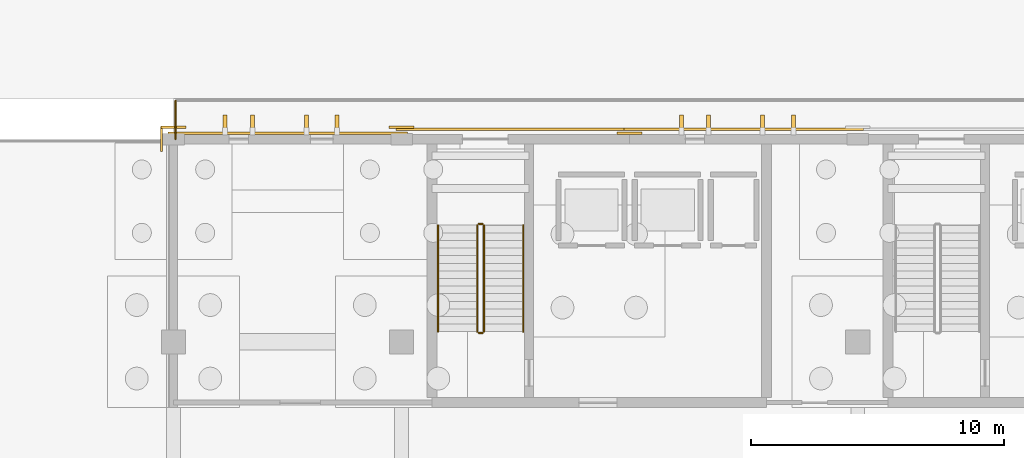
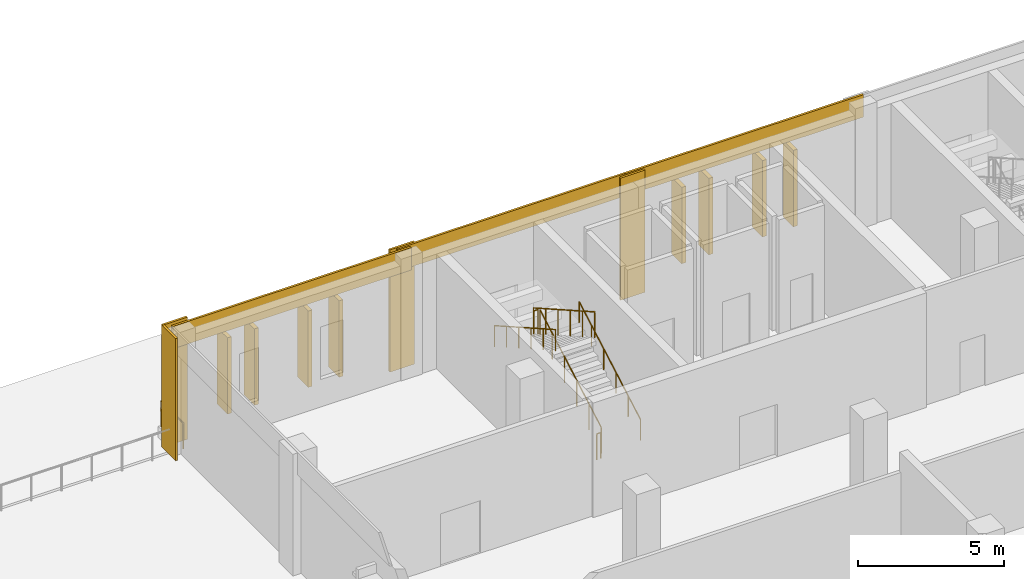
# One storey, part 87 of 94: 8 shading devices, 7 coverings, 7 railings.
"""IFC4 building model written with IfcOpenShell, lengths in metres."""

from ifc_helpers import new_model, si_unit, direction, frame, origin, origin_2d, place, context, subcontext, project, spatial, rectangle, circle, extrude, material, layer, layer_set, type_object, element, save


model = new_model("IFC4")

# Units and contexts
model_context = context("Model", 3, precision=1e-05, world=origin(), true_north=direction((0.0, 1.0)))
body_context = subcontext(model_context, "Body", "Model", "MODEL_VIEW")
ifc_project = project(units=[si_unit("LENGTHUNIT", "METRE"), si_unit("AREAUNIT", "SQUARE_METRE"), si_unit("VOLUMEUNIT", "CUBIC_METRE"), si_unit("PLANEANGLEUNIT", "RADIAN"), si_unit("MASSUNIT", "GRAM", prefix="KILO")], contexts=[model_context])

# Site, building, storey
site_placement = place(None, origin())
site = spatial("IfcSite", under=ifc_project, at=site_placement, CompositionType="ELEMENT")
building_placement = place(site_placement, origin())
building = spatial("IfcBuilding", under=site, at=building_placement, Name="Vervanel Yard Central Library", CompositionType="ELEMENT")
storey_placement = place(building_placement, origin())
storey = spatial("IfcBuildingStorey", under=building, at=storey_placement, Name="L00", CompositionType="ELEMENT", Elevation=0.0)

# Railings
ifc_material_1 = material(Name="Brushed stainless steel AISI 316", Category="steel")
railing_type_1 = type_object("IfcRailingType", Name="Brushed Stainless Stair Handrail 900", PredefinedType="HANDRAIL", material=ifc_material_1)
railing_1_placement = place(storey_placement, frame((49.800048828125, 106.39990234375, 0.169921875)))
element("IfcRailing", 1, at=railing_1_placement, inside=storey, type_object=railing_type_1, Name="L00 ST-01 stair handrail 1", PredefinedType="HANDRAIL", context=body_context, shape_type="SweptSolid", body=[
    extrude(circle(Radius=0.02392578125, at=origin_2d()), frame((0.0, 0.0, 0.8759765625), z_axis=(0.0, 0.870020739749, 0.493015123914), x_axis=(-1.0, 0.0, 0.0)), (0.0, 0.0, 1.0), 4.82763671875),
    extrude(circle(Radius=0.02099609375, at=origin_2d()), origin(), (0.0, 0.0, 1.0), 0.851806640625),
    extrude(circle(Radius=0.02099609375, at=origin_2d()), frame((0.0, 0.840087890625, 0.47607421875)), (0.0, 0.0, 1.0), 0.851806640625),
    extrude(circle(Radius=0.02099609375, at=origin_2d()), frame((0.0, 1.68017578125, 0.9521484375)), (0.0, 0.0, 1.0), 0.851806640625),
    extrude(circle(Radius=0.02099609375, at=origin_2d()), frame((0.0, 2.52001953125, 1.427978515625)), (0.0, 0.0, 1.0), 0.851806640625),
    extrude(circle(Radius=0.02099609375, at=origin_2d()), frame((0.0, 3.360107421875, 1.904052734375)), (0.0, 0.0, 1.0), 0.851806640625),
    extrude(circle(Radius=0.02099609375, at=origin_2d()), frame((0.0, 4.2001953125, 2.380126953125)), (0.0, 0.0, 1.0), 0.851806640625),
])
railing_2_placement = place(storey_placement, frame((46.43994140625, 110.60009765625, 2.719970703125)))
element("IfcRailing", 2, at=railing_2_placement, inside=storey, type_object=railing_type_1, Name="L00 ST-01 stair handrail 2", PredefinedType="HANDRAIL", context=body_context, shape_type="SweptSolid", body=[
    extrude(circle(Radius=0.02392578125, at=origin_2d()), frame((0.0, 0.0, 0.8759765625), z_axis=(0.0, -0.870020739749, 0.493015123914), x_axis=(1.0, 0.0, 0.0)), (0.0, 0.0, 1.0), 4.82763671875),
    extrude(circle(Radius=0.02099609375, at=origin_2d()), origin(), (0.0, 0.0, 1.0), 0.851806640625),
    extrude(circle(Radius=0.02099609375, at=origin_2d()), frame((0.0, -0.840087890625, 0.47607421875)), (0.0, 0.0, 1.0), 0.851806640625),
    extrude(circle(Radius=0.02099609375, at=origin_2d()), frame((0.0, -1.68017578125, 0.9521484375)), (0.0, 0.0, 1.0), 0.851806640625),
    extrude(circle(Radius=0.02099609375, at=origin_2d()), frame((0.0, -2.52001953125, 1.427978515625)), (0.0, 0.0, 1.0), 0.851806640625),
    extrude(circle(Radius=0.02099609375, at=origin_2d()), frame((0.0, -3.360107421875, 1.904052734375)), (0.0, 0.0, 1.0), 0.851806640625),
    extrude(circle(Radius=0.02099609375, at=origin_2d()), frame((0.0, -4.2001953125, 2.380126953125)), (0.0, 0.0, 1.0), 0.851806640625),
])

# Coverings
ifc_material_2 = material(Name="Precast concrete C45/55", Category="concrete")
ifc_layer = layer(ifc_material_2, 0.0849609375, Category="concrete")
ifc_layer_set = layer_set([ifc_layer], Name="Precast concrete C45/55")
covering_type = type_object("IfcCoveringType", Name="Bush-Hammered Precast Architectural Cladding Panel", PredefinedType="CLADDING", material=ifc_layer_set)
covering_1_placement = place(storey_placement, frame((40.5, 114.22998046875, 4.179931640625), z_axis=(0.0, 0.0, 1.0), x_axis=(1.0, 0.0, 0.0)))
element("IfcCovering", 3, at=covering_1_placement, inside=storey, type_object=covering_type, Name="L00 Precast Concrete Spandrel Cornice EWALL-L00-0001", PredefinedType="CLADDING", context=body_context, shape_type="SweptSolid", body=[
    extrude(rectangle(XDim=9.449951171875, YDim=0.0849609375, at=origin_2d()), origin(), (0.0, 0.0, 1.0), 0.93994140625),
])
for number, where, z_axis, x_axis, name in (
    (4, (36.0, 114.467529296875, 0.0), (0.0, 0.0, 1.0), (1.0, 0.0, 0.0), "L00 Precast Concrete Pier Pilaster EWALL-L00-0001-A"),
    (5, (45.0, 114.467529296875, 0.0), (0.0, 0.0, 1.0), (1.0, 0.0, 0.0), "L00 Precast Concrete Pier Pilaster EWALL-L00-0001-B"),
):
    element("IfcCovering", number, at=place(storey_placement, frame(where, z_axis=z_axis, x_axis=x_axis)), inside=storey, type_object=covering_type, Name=name, PredefinedType="CLADDING", context=body_context, shape_type="SweptSolid", body=[
        extrude(rectangle(XDim=0.97998046875, YDim=0.0849609375, at=origin_2d()), origin(), (0.0, 0.0, 1.0), 5.1201171875),
    ])
covering_2_placement = place(storey_placement, frame((49.5, 114.389892578125, 4.179931640625), z_axis=(0.0, 0.0, 1.0), x_axis=(1.0, 0.0, 0.0)))
element("IfcCovering", 6, at=covering_2_placement, inside=storey, type_object=covering_type, Name="L00 Precast Concrete Spandrel Cornice EWALL-L00-0002", PredefinedType="CLADDING", context=body_context, shape_type="SweptSolid", body=[
    extrude(rectangle(XDim=9.449951171875, YDim=0.0849609375, at=origin_2d()), origin(), (0.0, 0.0, 1.0), 0.93994140625),
])
covering_3_placement = place(storey_placement, frame((54.0, 114.232421875, 0.0), z_axis=(0.0, 0.0, 1.0), x_axis=(1.0, 0.0, 0.0)))
element("IfcCovering", 7, at=covering_3_placement, inside=storey, type_object=covering_type, Name="L00 Precast Concrete Pier Pilaster EWALL-L00-0002-B", PredefinedType="CLADDING", context=body_context, shape_type="SweptSolid", body=[
    extrude(rectangle(XDim=0.97998046875, YDim=0.0849609375, at=origin_2d()), origin(), (0.0, 0.0, 1.0), 5.1201171875),
])
covering_4_placement = place(storey_placement, frame((58.5, 114.389892578125, 4.179931640625), z_axis=(0.0, 0.0, 1.0), x_axis=(1.0, 0.0, 0.0)))
element("IfcCovering", 8, at=covering_4_placement, inside=storey, type_object=covering_type, Name="L00 Precast Concrete Spandrel Cornice EWALL-L00-0003", PredefinedType="CLADDING", context=body_context, shape_type="SweptSolid", body=[
    extrude(rectangle(XDim=9.449951171875, YDim=0.0849609375, at=origin_2d()), origin(), (0.0, 0.0, 1.0), 0.93994140625),
])
covering_5_placement = place(storey_placement, frame((35.532470703125, 114.0, 0.0), z_axis=(0.0, 0.0, 1.0), x_axis=(0.0, 1.0, 0.0)))
element("IfcCovering", 9, at=covering_5_placement, inside=storey, type_object=covering_type, Name="L00 Precast Concrete Pier Pilaster EWALL-L00-0017-B", PredefinedType="CLADDING", context=body_context, shape_type="SweptSolid", body=[
    extrude(rectangle(XDim=0.97998046875, YDim=0.0849609375, at=origin_2d()), origin(), (0.0, 0.0, 1.0), 5.1201171875),
])

# Railings
railing_type_2 = type_object("IfcRailingType", Name="Exterior Terrace Guardrail 1100", PredefinedType="GUARDRAIL", material=ifc_material_1)
railing_3_placement = place(storey_placement, frame((36.080078125, 114.0, 0.0)))
element("IfcRailing", 10, at=railing_3_placement, inside=storey, type_object=railing_type_2, Name="L00 North Spine Exit Walkway Stoop Edge Guard 15", PredefinedType="GUARDRAIL", context=body_context, shape_type="SweptSolid", body=[
    extrude(circle(Radius=0.02392578125, at=origin_2d()), frame((0.0, 0.0, 1.076171875), z_axis=(0.0, 1.0, 0.0), x_axis=(-1.0, 0.0, 0.0)), (0.0, 0.0, 1.0), 1.52001953125),
    extrude(circle(Radius=0.02099609375, at=origin_2d()), origin(), (0.0, 0.0, 1.0), 1.052001953125),
    extrude(circle(Radius=0.02099609375, at=origin_2d()), frame((0.0, 0.760009765625, 0.0)), (0.0, 0.0, 1.0), 1.052001953125),
    extrude(circle(Radius=0.02099609375, at=origin_2d()), frame((0.0, 1.52001953125, 0.0)), (0.0, 0.0, 1.0), 1.052001953125),
])
ifc_material_3 = material(Name="Galvanized painted steelwork ASTM A500 Grade C", Category="steel")
railing_type_3 = type_object("IfcRailingType", Name="Painted Steel Guardrail 1100", PredefinedType="GUARDRAIL", material=ifc_material_3)
railing_4_placement = place(storey_placement, frame((48.25, 106.39990234375, 0.169921875)))
element("IfcRailing", 11, at=railing_4_placement, inside=storey, type_object=railing_type_3, Name="L00 ST-01 stair guard 1", PredefinedType="GUARDRAIL", context=body_context, shape_type="SweptSolid", body=[
    extrude(circle(Radius=0.02392578125, at=origin_2d()), frame((0.0, 0.0, 1.076171875), z_axis=(0.0, 0.870020739749, 0.493015123914), x_axis=(-1.0, 0.0, 0.0)), (0.0, 0.0, 1.0), 4.82763671875),
    extrude(circle(Radius=0.02099609375, at=origin_2d()), origin(), (0.0, 0.0, 1.0), 1.052001953125),
    extrude(circle(Radius=0.02099609375, at=origin_2d()), frame((0.0, 0.840087890625, 0.47607421875)), (0.0, 0.0, 1.0), 1.052001953125),
    extrude(circle(Radius=0.02099609375, at=origin_2d()), frame((0.0, 1.68017578125, 0.9521484375)), (0.0, 0.0, 1.0), 1.052001953125),
    extrude(circle(Radius=0.02099609375, at=origin_2d()), frame((0.0, 2.52001953125, 1.427978515625)), (0.0, 0.0, 1.0), 1.052001953125),
    extrude(circle(Radius=0.02099609375, at=origin_2d()), frame((0.0, 3.360107421875, 1.904052734375)), (0.0, 0.0, 1.0), 1.052001953125),
    extrude(circle(Radius=0.02099609375, at=origin_2d()), frame((0.0, 4.2001953125, 2.380126953125)), (0.0, 0.0, 1.0), 1.052001953125),
])
railing_5_placement = place(storey_placement, frame((48.199951171875, 110.64990234375, 2.550048828125)))
element("IfcRailing", 12, at=railing_5_placement, inside=storey, type_object=railing_type_3, Name="L00 ST-01 stair guard 2", PredefinedType="GUARDRAIL", context=body_context, shape_type="SweptSolid", body=[
    extrude(circle(Radius=0.02392578125, at=origin_2d()), frame((0.0, 0.0, 1.076171875), z_axis=(-1.0, 0.0, 0.0), x_axis=(0.0, -1.0, 0.0)), (0.0, 0.0, 1.0), 0.159912109375),
    extrude(circle(Radius=0.02099609375, at=origin_2d()), origin(), (0.0, 0.0, 1.0), 1.052001953125),
    extrude(circle(Radius=0.02099609375, at=origin_2d()), frame((-0.159912109375, 0.0, 0.0)), (0.0, 0.0, 1.0), 1.052001953125),
])
railing_6_placement = place(storey_placement, frame((47.989990234375, 110.60009765625, 2.719970703125)))
element("IfcRailing", 13, at=railing_6_placement, inside=storey, type_object=railing_type_3, Name="L00 ST-01 stair guard 3", PredefinedType="GUARDRAIL", context=body_context, shape_type="SweptSolid", body=[
    extrude(circle(Radius=0.02392578125, at=origin_2d()), frame((0.0, 0.0, 1.076171875), z_axis=(0.0, -0.870020739749, 0.493015123914), x_axis=(1.0, 0.0, 0.0)), (0.0, 0.0, 1.0), 4.82763671875),
    extrude(circle(Radius=0.02099609375, at=origin_2d()), origin(), (0.0, 0.0, 1.0), 1.052001953125),
    extrude(circle(Radius=0.02099609375, at=origin_2d()), frame((0.0, -0.840087890625, 0.47607421875)), (0.0, 0.0, 1.0), 1.052001953125),
    extrude(circle(Radius=0.02099609375, at=origin_2d()), frame((0.0, -1.68017578125, 0.9521484375)), (0.0, 0.0, 1.0), 1.052001953125),
    extrude(circle(Radius=0.02099609375, at=origin_2d()), frame((0.0, -2.52001953125, 1.427978515625)), (0.0, 0.0, 1.0), 1.052001953125),
    extrude(circle(Radius=0.02099609375, at=origin_2d()), frame((0.0, -3.360107421875, 1.904052734375)), (0.0, 0.0, 1.0), 1.052001953125),
    extrude(circle(Radius=0.02099609375, at=origin_2d()), frame((0.0, -4.2001953125, 2.380126953125)), (0.0, 0.0, 1.0), 1.052001953125),
])
railing_7_placement = place(storey_placement, frame((48.199951171875, 106.35009765625, 0.0)))
element("IfcRailing", 14, at=railing_7_placement, inside=storey, type_object=railing_type_3, Name="L00 ST-01 stair guard 4", PredefinedType="GUARDRAIL", context=body_context, shape_type="SweptSolid", body=[
    extrude(circle(Radius=0.02392578125, at=origin_2d()), frame((0.0, 0.0, 1.076171875), z_axis=(-1.0, 0.0, 0.0), x_axis=(0.0, -1.0, 0.0)), (0.0, 0.0, 1.0), 0.159912109375),
    extrude(circle(Radius=0.02099609375, at=origin_2d()), origin(), (0.0, 0.0, 1.0), 1.052001953125),
    extrude(circle(Radius=0.02099609375, at=origin_2d()), frame((-0.159912109375, 0.0, 0.0)), (0.0, 0.0, 1.0), 1.052001953125),
])

# Shading devices
shading_device_type = type_object("IfcShadingDeviceType", Name="Vertical Precast Solar Fin 160x720x3200", PredefinedType="JALOUSIE", material=ifc_material_2)
for number, where, z_axis, x_axis, name in (
    (15, (38.0400390625, 114.590087890625, 0.64990234375), (0.0, 0.0, 1.0), (1.0, 0.0, 0.0), "L00 Precast Solar Fin 1"),
    (16, (39.110107421875, 114.590087890625, 0.64990234375), (0.0, 0.0, 1.0), (1.0, 0.0, 0.0), "L00 Precast Solar Fin 2"),
    (17, (41.239990234375, 114.590087890625, 0.64990234375), (0.0, 0.0, 1.0), (1.0, 0.0, 0.0), "L00 Precast Solar Fin 3"),
    (18, (42.4599609375, 114.590087890625, 0.64990234375), (0.0, 0.0, 1.0), (1.0, 0.0, 0.0), "L00 Precast Solar Fin 4"),
    (19, (56.0400390625, 114.590087890625, 0.64990234375), (0.0, 0.0, 1.0), (1.0, 0.0, 0.0), "L00 Precast Solar Fin 5"),
    (20, (57.110107421875, 114.590087890625, 0.64990234375), (0.0, 0.0, 1.0), (1.0, 0.0, 0.0), "L00 Precast Solar Fin 6"),
    (21, (59.239990234375, 114.590087890625, 0.64990234375), (0.0, 0.0, 1.0), (1.0, 0.0, 0.0), "L00 Precast Solar Fin 7"),
    (22, (60.4599609375, 114.590087890625, 0.64990234375), (0.0, 0.0, 1.0), (1.0, 0.0, 0.0), "L00 Precast Solar Fin 8"),
):
    element("IfcShadingDevice", number, at=place(storey_placement, frame(where, z_axis=z_axis, x_axis=x_axis)), inside=storey, type_object=shading_device_type, Name=name, PredefinedType="JALOUSIE", context=body_context, shape_type="SweptSolid", body=[
        extrude(rectangle(XDim=0.159912109375, YDim=0.719970703125, at=origin_2d()), origin(), (0.0, 0.0, 1.0), 3.199951171875),
    ])

save(model, "model.ifc")
